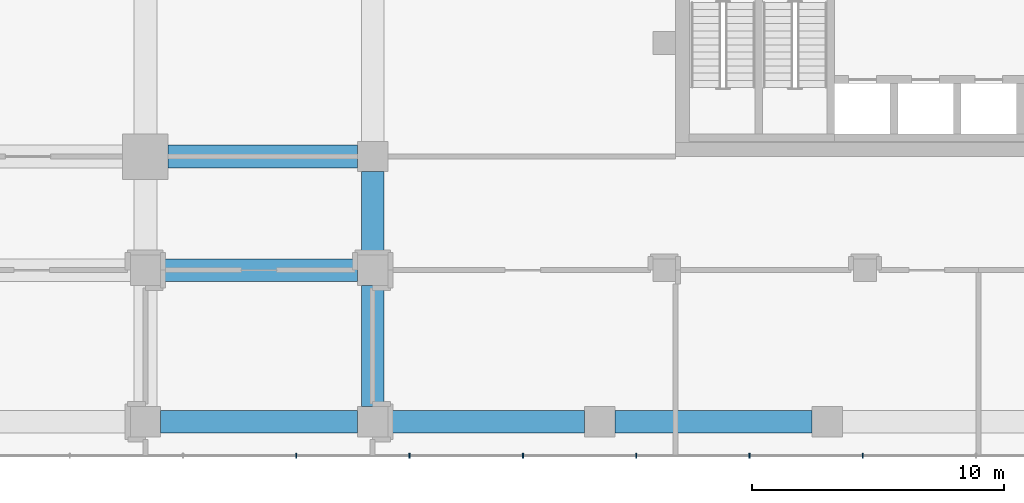
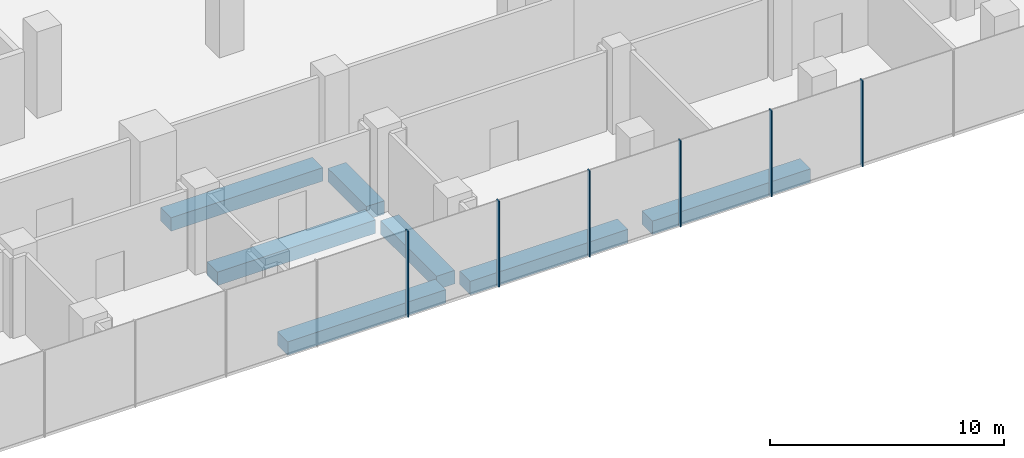
# One storey, part 13 of 43: 7 beams, 6 members, 1 element without a shape of its own.
"""IFC4 building model written with IfcOpenShell, lengths in metres."""

from ifc_helpers import new_model, si_unit, direction, frame, origin, origin_2d, place, context, subcontext, project, spatial, rectangle, extrude, material, layer, layer_set, material_profile, profile_set, type_object, element, aggregate, save


model = new_model("IFC4")

# Units and contexts
model_context = context("Model", 3, precision=1e-05, world=origin(), true_north=direction((0.0, 1.0)))
body_context = subcontext(model_context, "Body", "Model", "MODEL_VIEW")
ifc_project = project(units=[si_unit("LENGTHUNIT", "METRE"), si_unit("AREAUNIT", "SQUARE_METRE"), si_unit("VOLUMEUNIT", "CUBIC_METRE"), si_unit("PLANEANGLEUNIT", "RADIAN"), si_unit("MASSUNIT", "GRAM", prefix="KILO")], contexts=[model_context])

# Site, building, storey
site_placement = place(None, origin())
site = spatial("IfcSite", under=ifc_project, at=site_placement, CompositionType="ELEMENT")
building_placement = place(site_placement, origin())
building = spatial("IfcBuilding", under=site, at=building_placement, Name="Plateau Cross Towers", CompositionType="ELEMENT")
storey_placement = place(building_placement, frame((0.0, 0.0, 17.300048828125)))
storey = spatial("IfcBuildingStorey", under=building, at=storey_placement, Name="L03", CompositionType="ELEMENT", Elevation=17.300048828125)

# Curtain wall, members
ifc_material_1 = material(Name="Dark low-iron laminated glass", Category="glass")
ifc_layer = layer(ifc_material_1, 0.300048828125)
ifc_layer_set = layer_set([ifc_layer], Name="Dark low-iron laminated glass")
curtain_wall_type = type_object("IfcCurtainWallType", Name="Curtain wall structural silicone CW-C", PredefinedType="NOTDEFINED", material=ifc_layer_set)
curtain_wall_placement = place(storey_placement, origin())
curtain_wall = element("IfcCurtainWall", 1, at=curtain_wall_placement, inside=storey, type_object=curtain_wall_type, Name="ENV/P/L03/P-28_-118", PredefinedType="NOTDEFINED")
ifc_material_2 = material(Name="Black anodised aluminium", Category="aluminium")
ifc_material_profile_1 = material_profile(ifc_material_2, rectangle(XDim=0.050048828125, YDim=0.199951171875, at=origin_2d()), Name="MULLION 50x200")
ifc_profile_set_1 = profile_set([ifc_material_profile_1], Name="Black anodised aluminium")
member_type = type_object("IfcMemberType", Name="Mullion 50x200 structural silicone", PredefinedType="MULLION", material=ifc_profile_set_1)
member_1_placement = place(storey_placement, frame((59.97509765625, -11.85009765625, -0.35009765625), z_axis=(0.0, 0.0, 1.0), x_axis=(1.0, 0.0, 0.0)))
member_1 = element("IfcMember", 2, at=member_1_placement, type_object=member_type, Name="CW-C mullion 15", PredefinedType="MULLION", context=body_context, shape_type="SweptSolid", body=[
    extrude(rectangle(XDim=0.050048828125, YDim=0.199951171875, at=origin_2d()), origin(), (0.0, 0.0, 1.0), 4.5),
])
member_2_placement = place(storey_placement, frame((64.46240234375, -11.85009765625, -0.35009765625), z_axis=(0.0, 0.0, 1.0), x_axis=(1.0, 0.0, 0.0)))
member_2 = element("IfcMember", 3, at=member_2_placement, type_object=member_type, Name="CW-C mullion 16", PredefinedType="MULLION", context=body_context, shape_type="SweptSolid", body=[
    extrude(rectangle(XDim=0.050048828125, YDim=0.199951171875, at=origin_2d()), origin(), (0.0, 0.0, 1.0), 4.5),
])
member_3_placement = place(storey_placement, frame((68.949951171875, -11.85009765625, -0.35009765625), z_axis=(0.0, 0.0, 1.0), x_axis=(1.0, 0.0, 0.0)))
member_3 = element("IfcMember", 4, at=member_3_placement, type_object=member_type, Name="CW-C mullion 17", PredefinedType="MULLION", context=body_context, shape_type="SweptSolid", body=[
    extrude(rectangle(XDim=0.050048828125, YDim=0.199951171875, at=origin_2d()), origin(), (0.0, 0.0, 1.0), 4.5),
])
member_4_placement = place(storey_placement, frame((73.4375, -11.85009765625, -0.35009765625), z_axis=(0.0, 0.0, 1.0), x_axis=(1.0, 0.0, 0.0)))
member_4 = element("IfcMember", 5, at=member_4_placement, type_object=member_type, Name="CW-C mullion 18", PredefinedType="MULLION", context=body_context, shape_type="SweptSolid", body=[
    extrude(rectangle(XDim=0.050048828125, YDim=0.199951171875, at=origin_2d()), origin(), (0.0, 0.0, 1.0), 4.5),
])
member_5_placement = place(storey_placement, frame((77.925048828125, -11.85009765625, -0.35009765625), z_axis=(0.0, 0.0, 1.0), x_axis=(1.0, 0.0, 0.0)))
member_5 = element("IfcMember", 6, at=member_5_placement, type_object=member_type, Name="CW-C mullion 19", PredefinedType="MULLION", context=body_context, shape_type="SweptSolid", body=[
    extrude(rectangle(XDim=0.050048828125, YDim=0.199951171875, at=origin_2d()), origin(), (0.0, 0.0, 1.0), 4.5),
])
member_6_placement = place(storey_placement, frame((82.41259765625, -11.85009765625, -0.35009765625), z_axis=(0.0, 0.0, 1.0), x_axis=(1.0, 0.0, 0.0)))
member_6 = element("IfcMember", 7, at=member_6_placement, type_object=member_type, Name="CW-C mullion 20", PredefinedType="MULLION", context=body_context, shape_type="SweptSolid", body=[
    extrude(rectangle(XDim=0.050048828125, YDim=0.199951171875, at=origin_2d()), origin(), (0.0, 0.0, 1.0), 4.5),
])
aggregate(curtain_wall, [member_1, member_2, member_3, member_4, member_5, member_6])

# Beams
ifc_material_3 = material(Name="Concrete C50/60", Category="concrete")
ifc_material_profile_2 = material_profile(ifc_material_3, rectangle(XDim=0.89990234375, YDim=0.699951171875, at=origin_2d()), Name="RC 900x700")
ifc_profile_set_2 = profile_set([ifc_material_profile_2], Name="Concrete C50/60")
beam_type = type_object("IfcBeamType", Name="Podium band beam RC 900x700", PredefinedType="BEAM", material=ifc_profile_set_2)
for number, where, z_axis, x_axis, name in (
    (8, (54.60009765625, -10.5, -0.699951171875), (1.0, 0.0, 0.0), (0.0, 1.0, 0.0), "PB08@L03"),
    (9, (63.60009765625, -10.5, -0.699951171875), (1.0, 0.0, 0.0), (0.0, 1.0, 0.0), "PB09@L03"),
    (10, (72.60009765625, -10.5, -0.699951171875), (1.0, 0.0, 0.0), (0.0, 1.0, 0.0), "PB10@L03"),
    (11, (54.60009765625, -4.5, -0.699951171875), (1.0, 0.0, 0.0), (0.0, 1.0, 0.0), "PB21@L03"),
):
    element("IfcBeam", number, at=place(storey_placement, frame(where, z_axis=z_axis, x_axis=x_axis)), inside=storey, type_object=beam_type, Name=name, PredefinedType="BEAM", context=body_context, shape_type="SweptSolid", body=[
        extrude(rectangle(XDim=0.89990234375, YDim=0.699951171875, at=origin_2d()), origin(), (0.0, 0.0, 1.0), 7.7998046875),
    ])
beam_1_placement = place(storey_placement, frame((54.89990234375, 0.0, -0.699951171875), z_axis=(1.0, 0.0, 0.0), x_axis=(0.0, 1.0, 0.0)))
element("IfcBeam", 12, at=beam_1_placement, inside=storey, type_object=beam_type, Name="PB25@L03", PredefinedType="BEAM", context=body_context, shape_type="SweptSolid", body=[
    extrude(rectangle(XDim=0.89990234375, YDim=0.699951171875, at=origin_2d()), origin(), (0.0, 0.0, 1.0), 7.5),
])
beam_2_placement = place(storey_placement, frame((63.0, -9.89990234375, -0.699951171875), z_axis=(0.0, 1.0, 0.0), x_axis=(-1.0, 0.0, 0.0)))
element("IfcBeam", 13, at=beam_2_placement, inside=storey, type_object=beam_type, Name="PB148@L03", PredefinedType="BEAM", context=body_context, shape_type="SweptSolid", body=[
    extrude(rectangle(XDim=0.89990234375, YDim=0.699951171875, at=origin_2d()), origin(), (0.0, 0.0, 1.0), 4.7998046875),
])
beam_3_placement = place(storey_placement, frame((63.0, -3.89990234375, -0.699951171875), z_axis=(0.0, 1.0, 0.0), x_axis=(-1.0, 0.0, 0.0)))
element("IfcBeam", 14, at=beam_3_placement, inside=storey, type_object=beam_type, Name="PB149@L03", PredefinedType="BEAM", context=body_context, shape_type="SweptSolid", body=[
    extrude(rectangle(XDim=0.89990234375, YDim=0.699951171875, at=origin_2d()), origin(), (0.0, 0.0, 1.0), 3.2998046875),
])

save(model, "model.ifc")
